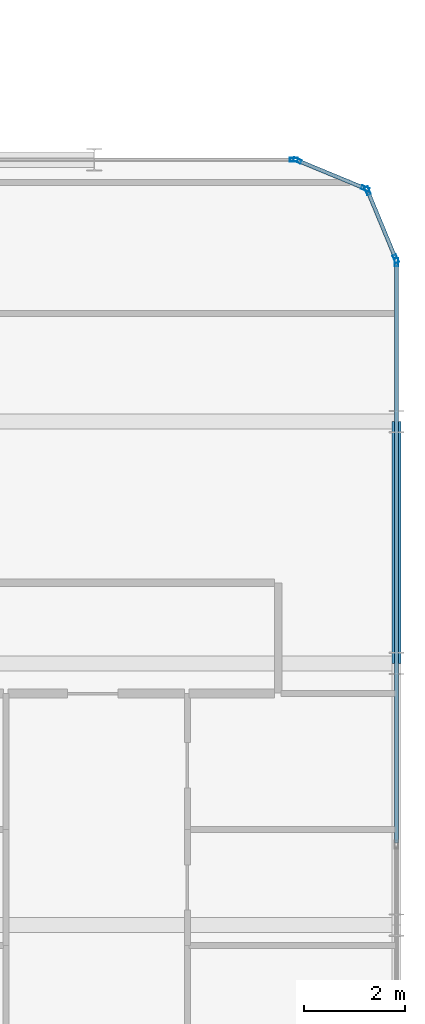
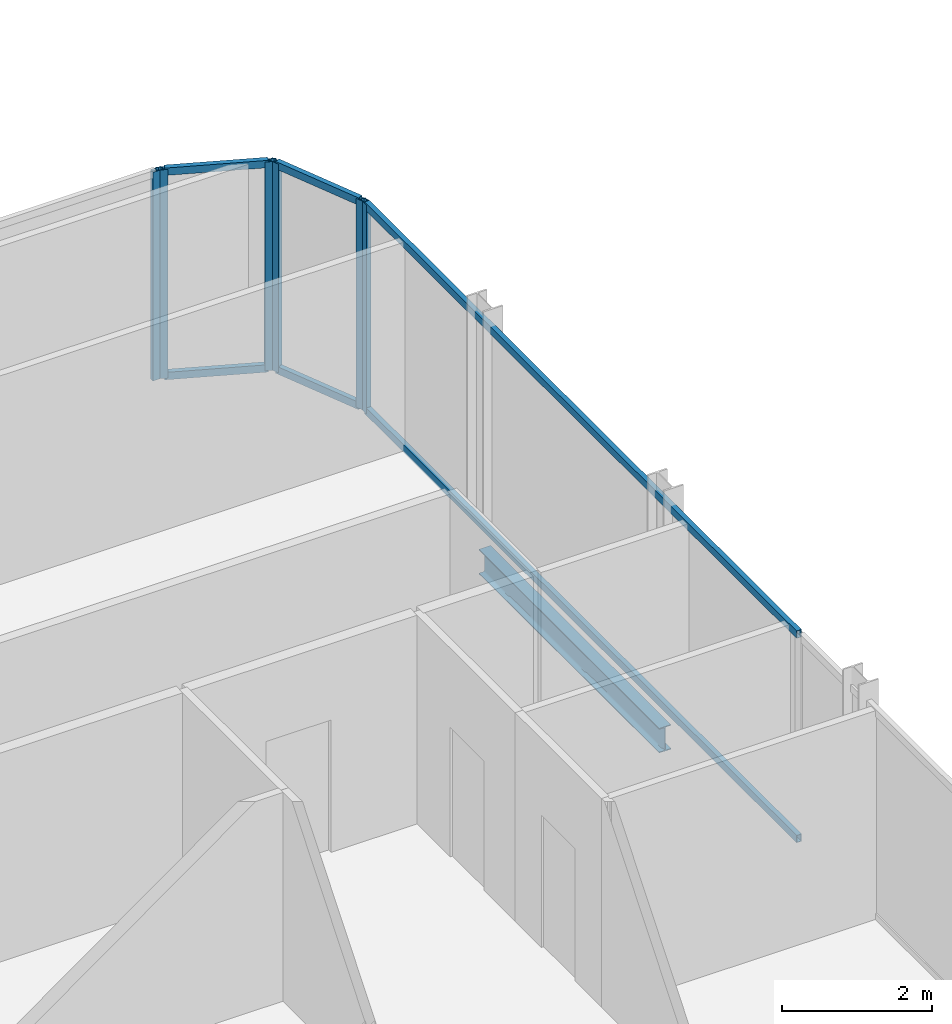
# One storey, part 15 of 29: 12 members, 1 beam, 4 elements without a shape of their own.
"""IFC4 building model written with IfcOpenShell, lengths in metres."""

from ifc_helpers import new_model, si_unit, direction, frame, origin, origin_2d, place, context, subcontext, project, spatial, hollow_rectangle, i_section, extrude, material, layer, layer_set, material_profile, profile_set, type_object, element, aggregate, save


model = new_model("IFC4")

# Units and contexts
model_context = context("Model", 3, precision=1e-05, world=origin(), true_north=direction((0.0, 1.0)))
body_context = subcontext(model_context, "Body", "Model", "MODEL_VIEW")
ifc_project = project(units=[si_unit("LENGTHUNIT", "METRE"), si_unit("AREAUNIT", "SQUARE_METRE"), si_unit("VOLUMEUNIT", "CUBIC_METRE"), si_unit("PLANEANGLEUNIT", "RADIAN"), si_unit("MASSUNIT", "GRAM", prefix="KILO")], contexts=[model_context])

# Site, building, storey
site_placement = place(None, origin())
site = spatial("IfcSite", under=ifc_project, at=site_placement, CompositionType="ELEMENT")
building_placement = place(site_placement, origin())
building = spatial("IfcBuilding", under=site, at=building_placement, Name="Keshet Zoharim Tower", CompositionType="ELEMENT")
storey_placement = place(building_placement, frame((0.0, 0.0, 206.89990234375)))
storey = spatial("IfcBuildingStorey", under=building, at=storey_placement, Name="L51", CompositionType="ELEMENT", Elevation=206.89990234375)

# Beam
ifc_material_1 = material(Name="Steel S355", Category="steel")
ifc_material_profile_1 = material_profile(ifc_material_1, i_section(OverallWidth=0.179931640625, OverallDepth=0.39990234375, WebThickness=0.008544921875, FlangeThickness=0.013427734375, FilletRadius=0.02099609375, at=origin_2d()), Name="IPE400")
ifc_profile_set_1 = profile_set([ifc_material_profile_1], Name="Steel S355")
beam_type = type_object("IfcBeamType", Name="BM-PRI-IP400", PredefinedType="BEAM", material=ifc_profile_set_1)
beam_placement = place(storey_placement, frame((57.0, 17.89990234375, -0.510009765625), z_axis=(0.0, 1.0, 0.0), x_axis=(-1.0, 0.0, 0.0)))
element("IfcBeam", 1, at=beam_placement, inside=storey, type_object=beam_type, Name="L51 Primary Girder Y-015", PredefinedType="BEAM", context=body_context, shape_type="SweptSolid", body=[
    extrude(i_section(OverallWidth=0.179931640625, OverallDepth=0.39990234375, WebThickness=0.008544921875, FlangeThickness=0.013427734375, FilletRadius=0.02099609375, at=origin_2d()), origin(), (0.0, 0.0, 1.0), 4.800048828125),
])

# Curtain wall, members
ifc_material_2 = material(Name="Aluminium 6063-T6", Category="aluminium")
ifc_layer = layer(ifc_material_2, 0.139892578125)
ifc_layer_set = layer_set([ifc_layer], Name="Aluminium 6063-T6")
curtain_wall_type = type_object("IfcCurtainWallType", Name="CW-SYS-05", PredefinedType="NOTDEFINED", material=ifc_layer_set)
curtain_wall_1_placement = place(storey_placement, origin())
curtain_wall_1 = element("IfcCurtainWall", 2, at=curtain_wall_1_placement, inside=storey, type_object=curtain_wall_type, Name="L51 Unitised Curtain Wall 01", PredefinedType="NOTDEFINED")
ifc_material_profile_2 = material_profile(ifc_material_2, hollow_rectangle(XDim=0.074951171875, YDim=0.159912109375, WallThickness=0.00390625, at=origin_2d()), Name="MUL-75x160")
ifc_profile_set_2 = profile_set([ifc_material_profile_2], Name="Aluminium 6063-T6")
member_type_1 = type_object("IfcMemberType", Name="CWM-M15", PredefinedType="MULLION", material=ifc_profile_set_2)
member_1_placement = place(storey_placement, frame((55.0322265625, 27.88671875, 0.0), z_axis=(0.0, 0.0, 1.0), x_axis=(0.382851849847, 0.92380975372, 0.0)))
member_1 = element("IfcMember", 3, at=member_1_placement, type_object=member_type_1, Name="CW-05 mullion 1", PredefinedType="MULLION", context=body_context, shape_type="SweptSolid", body=[
    extrude(hollow_rectangle(XDim=0.074951171875, YDim=0.159912109375, WallThickness=0.00390625, at=origin_2d()), origin(), (0.0, 0.0, 1.0), 3.39013671875),
])
member_2_placement = place(storey_placement, frame((56.381591796875, 27.327392578125, 0.0), z_axis=(0.0, 0.0, 1.0), x_axis=(0.382851849847, 0.92380975372, 0.0)))
member_2 = element("IfcMember", 4, at=member_2_placement, type_object=member_type_1, Name="CW-05 mullion 2", PredefinedType="MULLION", context=body_context, shape_type="SweptSolid", body=[
    extrude(hollow_rectangle(XDim=0.074951171875, YDim=0.159912109375, WallThickness=0.00390625, at=origin_2d()), origin(), (0.0, 0.0, 1.0), 3.39013671875),
])

curtain_wall_2_placement = place(storey_placement, origin())
curtain_wall_2 = element("IfcCurtainWall", 5, at=curtain_wall_2_placement, inside=storey, type_object=curtain_wall_type, Name="L51 Unitised Curtain Wall 02", PredefinedType="NOTDEFINED")
member_3_placement = place(storey_placement, frame((56.427490234375, 27.28173828125, 0.0), z_axis=(0.0, 0.0, 1.0), x_axis=(0.92380975372, 0.382851849847, 0.0)))
member_3 = element("IfcMember", 6, at=member_3_placement, type_object=member_type_1, Name="CW-05 mullion 1", PredefinedType="MULLION", context=body_context, shape_type="SweptSolid", body=[
    extrude(hollow_rectangle(XDim=0.074951171875, YDim=0.159912109375, WallThickness=0.00390625, at=origin_2d()), origin(), (0.0, 0.0, 1.0), 3.39013671875),
])
member_4_placement = place(storey_placement, frame((56.986572265625, 25.932373046875, 0.0), z_axis=(0.0, 0.0, 1.0), x_axis=(0.92380975372, 0.382851849847, 0.0)))
member_4 = element("IfcMember", 7, at=member_4_placement, type_object=member_type_1, Name="CW-05 mullion 2", PredefinedType="MULLION", context=body_context, shape_type="SweptSolid", body=[
    extrude(hollow_rectangle(XDim=0.074951171875, YDim=0.159912109375, WallThickness=0.00390625, at=origin_2d()), origin(), (0.0, 0.0, 1.0), 3.39013671875),
])

# Curtain wall, member
curtain_wall_3_placement = place(storey_placement, origin())
curtain_wall_3 = element("IfcCurtainWall", 8, at=curtain_wall_3_placement, inside=storey, type_object=curtain_wall_type, Name="L51 Unitised Curtain Wall 03", PredefinedType="NOTDEFINED")
member_5_placement = place(storey_placement, frame((57.0, 25.864990234375, 0.0), z_axis=(0.0, 0.0, 1.0), x_axis=(1.0, 0.0, 0.0)))
member_5 = element("IfcMember", 9, at=member_5_placement, type_object=member_type_1, Name="CW-05 mullion 1", PredefinedType="MULLION", context=body_context, shape_type="SweptSolid", body=[
    extrude(hollow_rectangle(XDim=0.074951171875, YDim=0.159912109375, WallThickness=0.00390625, at=origin_2d()), origin(), (0.0, 0.0, 1.0), 3.39013671875),
])

curtain_wall_4_placement = place(storey_placement, origin())
curtain_wall_4 = element("IfcCurtainWall", 10, at=curtain_wall_4_placement, inside=storey, type_object=curtain_wall_type, Name="L51 Unitised Curtain Wall 20 Part 2", PredefinedType="NOTDEFINED")
member_6_placement = place(storey_placement, frame((54.965087890625, 27.89990234375, 0.0), z_axis=(0.0, 0.0, 1.0), x_axis=(0.0, 1.0, 0.0)))
member_6 = element("IfcMember", 11, at=member_6_placement, type_object=member_type_1, Name="CW-05 mullion 2", PredefinedType="MULLION", context=body_context, shape_type="SweptSolid", body=[
    extrude(hollow_rectangle(XDim=0.074951171875, YDim=0.159912109375, WallThickness=0.00390625, at=origin_2d()), origin(), (0.0, 0.0, 1.0), 3.39013671875),
])
aggregate(curtain_wall_4, [member_6])

# Member
ifc_material_profile_3 = material_profile(ifc_material_2, hollow_rectangle(XDim=0.074951171875, YDim=0.1201171875, WallThickness=0.00390625, at=origin_2d()), Name="TRN-75x120")
ifc_profile_set_3 = profile_set([ifc_material_profile_3], Name="Aluminium 6063-T6")
member_type_2 = type_object("IfcMemberType", Name="CWT-T12", PredefinedType="USERDEFINED", material=ifc_profile_set_3)
member_7_placement = place(storey_placement, frame((55.064697265625, 27.873291015625, 0.03515625), z_axis=(0.92379209995, -0.382894445076, 0.0), x_axis=(0.382894445076, 0.92379209995, 0.0)))
member_7 = element("IfcMember", 12, at=member_7_placement, type_object=member_type_2, Name="CW-05 transom 1.1", ObjectType="TRANSOM", PredefinedType="USERDEFINED", context=body_context, shape_type="SweptSolid", body=[
    extrude(hollow_rectangle(XDim=0.074951171875, YDim=0.1201171875, WallThickness=0.00390625, at=origin_2d()), origin(), (0.0, 0.0, 1.0), 1.390625),
])

member_8_placement = place(storey_placement, frame((55.064697265625, 27.873291015625, 3.35498046875), z_axis=(0.92379209995, -0.382894445076, 0.0), x_axis=(0.382894445076, 0.92379209995, 0.0)))
member_8 = element("IfcMember", 13, at=member_8_placement, type_object=member_type_2, Name="CW-05 transom 1.2", ObjectType="TRANSOM", PredefinedType="USERDEFINED", context=body_context, shape_type="SweptSolid", body=[
    extrude(hollow_rectangle(XDim=0.074951171875, YDim=0.1201171875, WallThickness=0.00390625, at=origin_2d()), origin(), (0.0, 0.0, 1.0), 1.390625),
])

aggregate(curtain_wall_1, [member_1, member_2, member_7, member_8])

member_9_placement = place(storey_placement, frame((56.44091796875, 27.249267578125, 0.03515625), z_axis=(0.382744609247, -0.923854189844, 0.0), x_axis=(0.923854189844, 0.382744609247, 0.0)))
member_9 = element("IfcMember", 14, at=member_9_placement, type_object=member_type_2, Name="CW-05 transom 1.1", ObjectType="TRANSOM", PredefinedType="USERDEFINED", context=body_context, shape_type="SweptSolid", body=[
    extrude(hollow_rectangle(XDim=0.074951171875, YDim=0.1201171875, WallThickness=0.00390625, at=origin_2d()), origin(), (0.0, 0.0, 1.0), 1.390625),
])

member_10_placement = place(storey_placement, frame((56.44091796875, 27.249267578125, 3.35498046875), z_axis=(0.382744609247, -0.923854189844, 0.0), x_axis=(0.923854189844, 0.382744609247, 0.0)))
member_10 = element("IfcMember", 15, at=member_10_placement, type_object=member_type_2, Name="CW-05 transom 1.2", ObjectType="TRANSOM", PredefinedType="USERDEFINED", context=body_context, shape_type="SweptSolid", body=[
    extrude(hollow_rectangle(XDim=0.074951171875, YDim=0.1201171875, WallThickness=0.00390625, at=origin_2d()), origin(), (0.0, 0.0, 1.0), 1.390625),
])

aggregate(curtain_wall_2, [member_3, member_4, member_9, member_10])

member_11_placement = place(storey_placement, frame((57.0, 25.830078125, 0.03515625), z_axis=(0.0, -1.0, 0.0), x_axis=(1.0, 0.0, 0.0)))
member_11 = element("IfcMember", 16, at=member_11_placement, type_object=member_type_2, Name="CW-05 transom 1.1", ObjectType="TRANSOM", PredefinedType="USERDEFINED", context=body_context, shape_type="SweptSolid", body=[
    extrude(hollow_rectangle(XDim=0.074951171875, YDim=0.1201171875, WallThickness=0.00390625, at=origin_2d()), origin(), (0.0, 0.0, 1.0), 11.4951171875),
])

member_12_placement = place(storey_placement, frame((57.0, 25.830078125, 3.35498046875), z_axis=(0.0, -1.0, 0.0), x_axis=(1.0, 0.0, 0.0)))
member_12 = element("IfcMember", 17, at=member_12_placement, type_object=member_type_2, Name="CW-05 transom 1.2", ObjectType="TRANSOM", PredefinedType="USERDEFINED", context=body_context, shape_type="SweptSolid", body=[
    extrude(hollow_rectangle(XDim=0.074951171875, YDim=0.1201171875, WallThickness=0.00390625, at=origin_2d()), origin(), (0.0, 0.0, 1.0), 11.4951171875),
])

aggregate(curtain_wall_3, [member_5, member_11, member_12])

save(model, "model.ifc")
